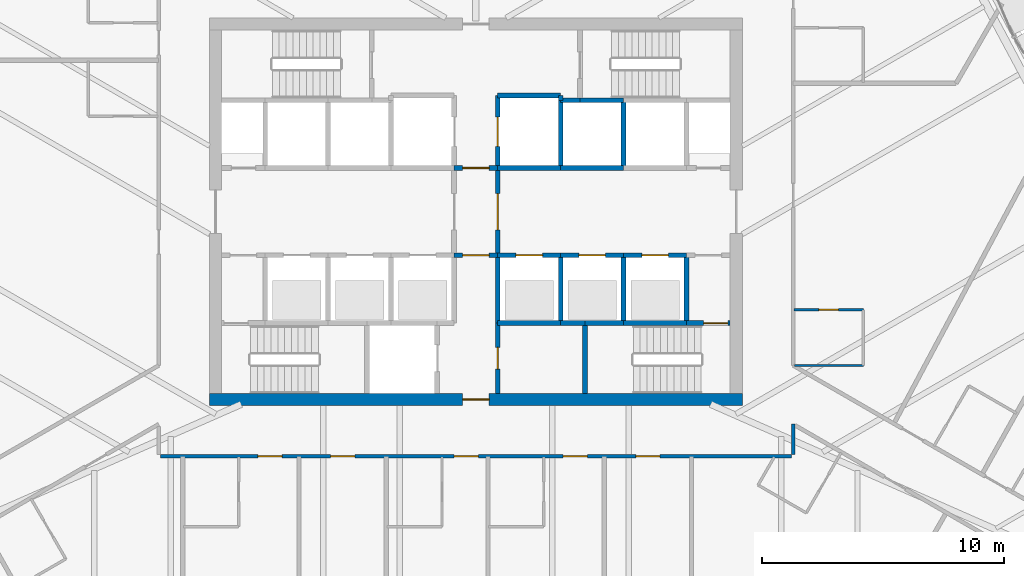
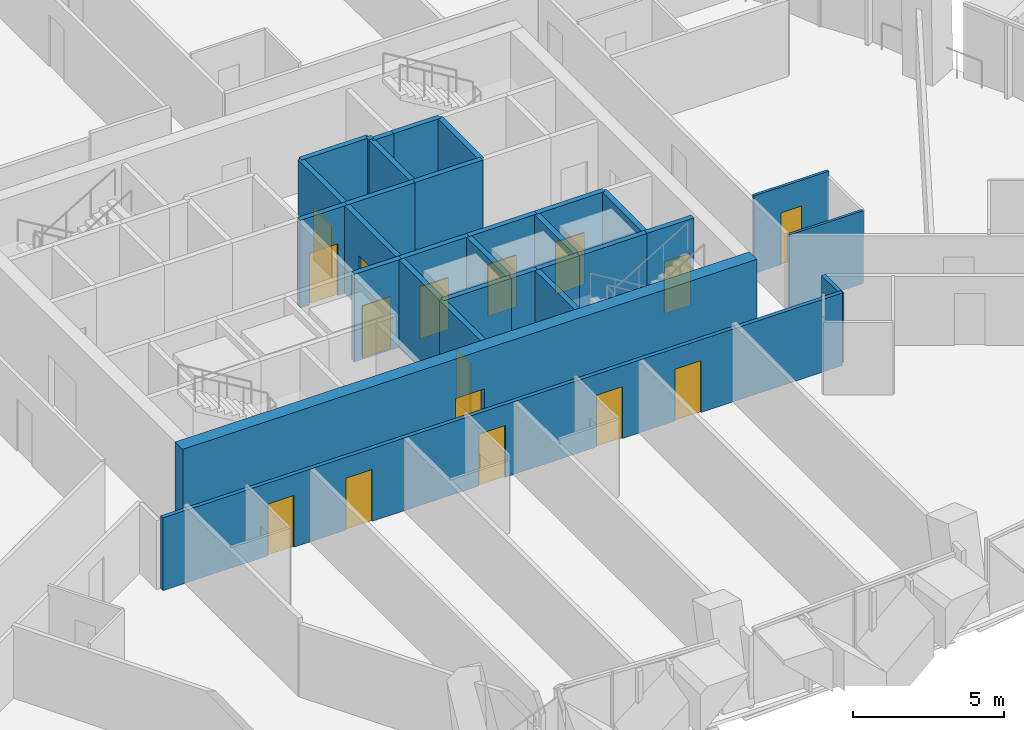
# One storey, part 15 of 22: 31 walls, 16 doors, 16 openings.
"""IFC4 building model written with IfcOpenShell, lengths in metres."""

from ifc_helpers import new_model, si_unit, direction, frame, frame_2d, origin, place, context, subcontext, project, spatial, rectangle, extrude, material, layer, layer_set, type_object, element, fill, save


model = new_model("IFC4")

# Units and contexts
model_context = context("Model", 3, precision=1e-05, world=origin(), true_north=direction((0.0, 1.0)))
body_context = subcontext(model_context, "Body", "Model", "MODEL_VIEW")
ifc_project = project(units=[si_unit("LENGTHUNIT", "METRE"), si_unit("AREAUNIT", "SQUARE_METRE"), si_unit("VOLUMEUNIT", "CUBIC_METRE"), si_unit("PLANEANGLEUNIT", "RADIAN"), si_unit("MASSUNIT", "GRAM", prefix="KILO")], contexts=[model_context])

# Site, building, storey
site_placement = place(None, origin())
site = spatial("IfcSite", under=ifc_project, at=site_placement, CompositionType="ELEMENT")
building_placement = place(site_placement, origin())
building = spatial("IfcBuilding", under=site, at=building_placement, Name="Sierra Prisma Convention Tower", CompositionType="ELEMENT")
storey_placement = place(building_placement, frame((0.0, 0.0, 62.800048828125)))
storey = spatial("IfcBuildingStorey", under=building, at=storey_placement, Name="L11", CompositionType="ELEMENT", Elevation=62.800048828125)

# Wall, opening, door
ifc_material_1 = material(Name="Gypsum board partition", Category="gypsum")
ifc_layer_1 = layer(ifc_material_1, 0.10009765625)
ifc_layer_set_1 = layer_set([ifc_layer_1], Name="Bathroom partition 100")
wall_type_1 = type_object("IfcWallType", Name="Bathroom partition 100", PredefinedType="PARTITIONING", material=ifc_layer_set_1)
wall_1_placement = place(storey_placement, frame((13.1298828125, -4.05078125, 0.0), z_axis=(0.0, 0.0, 1.0), x_axis=(1.0, 0.0, 0.0)))
wall_1 = element("IfcWall", 1, at=wall_1_placement, inside=storey, type_object=wall_type_1, Name="Partition L11 bath 25", PredefinedType="PARTITIONING", context=body_context, shape_type="SweptSolid", body=[
    extrude(rectangle(XDim=2.8701171875, YDim=0.10009765625, at=frame_2d((1.43505859375, 0.0))), origin(), (0.0, 0.0, 1.0), 3.14990234375),
])
opening_1_placement = place(wall_1_placement, frame((1.034912109375, 0.0, 0.0)))
opening_1 = element("IfcOpeningElement", 2, at=opening_1_placement, cuts=wall_1, Name="Opening L11-D016", PredefinedType="OPENING", context=body_context, shape_type="SweptSolid", body=[
    extrude(rectangle(XDim=0.800048828125, YDim=2.10009765625, at=frame_2d((0.39990234375, 1.050048828125))), frame((0.0, 0.050048828125, 0.0), z_axis=(0.0, -1.0, 0.0), x_axis=(1.0, 0.0, 0.0)), (0.0, 0.0, 1.0), 0.10009765625),
])
ifc_material_2 = material(Name="Solid core timber door leaf", Category="wood")
door_type_1 = type_object("IfcDoorType", Name="Door 800x2100 plain", OperationType="SINGLE_SWING_LEFT", PredefinedType="DOOR", material=ifc_material_2)
door_1_placement = place(opening_1_placement, origin())
door_1 = element("IfcDoor", 3, at=door_1_placement, inside=storey, type_object=door_type_1, Name="Door L11 38", OperationType="SINGLE_SWING_LEFT", OverallHeight=2.10009765625, OverallWidth=0.800048828125, PredefinedType="DOOR", context=body_context, shape_type="SweptSolid", body=[
    extrude(rectangle(XDim=0.800048828125, YDim=2.10009765625, at=frame_2d((0.39990234375, 1.050048828125))), frame((0.0, 0.02490234375, 0.0), z_axis=(0.0, -1.0, 0.0), x_axis=(1.0, 0.0, 0.0)), (0.0, 0.0, 1.0), 0.050048828125),
])
fill(opening_1, door_1)

# Wall
wall_2_placement = place(storey_placement, frame((16.0, -6.350830078125, 0.0), z_axis=(0.0, 0.0, 1.0), x_axis=(-1.0, 0.0, 0.0)))
element("IfcWall", 4, at=wall_2_placement, inside=storey, type_object=wall_type_1, Name="Partition L11 bath 27", PredefinedType="PARTITIONING", context=body_context, shape_type="SweptSolid", body=[
    extrude(rectangle(XDim=2.840087890625, YDim=0.10009765625, at=frame_2d((1.419921875, 0.0))), origin(), (0.0, 0.0, 1.0), 2.947021484375),
])

# Wall, opening, door
ifc_material_3 = material(Name="Concrete C30/37", Category="concrete")
ifc_layer_2 = layer(ifc_material_3, 0.199951171875)
ifc_layer_set_2 = layer_set([ifc_layer_2], Name="Core wall RC 200 C30/37")
wall_type_2 = type_object("IfcWallType", Name="Core wall RC 200 C30/37", PredefinedType="SOLIDWALL", material=ifc_layer_set_2)
wall_3_placement = place(storey_placement, frame((-0.89990234375, -1.800048828125, 0.0), z_axis=(0.0, 0.0, 1.0), x_axis=(1.0, 0.0, 0.0)))
wall_3 = element("IfcWall", 5, at=wall_3_placement, inside=storey, type_object=wall_type_2, Name="Core wall L11 32", PredefinedType="SOLIDWALL", context=body_context, shape_type="SweptSolid", body=[
    extrude(rectangle(XDim=1.7998046875, YDim=0.199951171875, at=frame_2d((0.89990234375, 0.0))), origin(), (0.0, 0.0, 1.0), 3.550048828125),
])
opening_2_placement = place(wall_3_placement, frame((0.35009765625, 0.0, 0.0)))
opening_2 = element("IfcOpeningElement", 6, at=opening_2_placement, cuts=wall_3, Name="Opening L11-D031", PredefinedType="OPENING", context=body_context, shape_type="SweptSolid", body=[
    extrude(rectangle(XDim=1.10009765625, YDim=2.10009765625, at=frame_2d((0.550048828125, 1.050048828125))), frame((0.0, 0.10009765625, 0.0), z_axis=(0.0, -1.0, 0.0), x_axis=(1.0, 0.0, 0.0)), (0.0, 0.0, 1.0), 0.199951171875),
])
ifc_material_4 = material(Name="Steel fire door leaf", Category="steel")
door_type_2 = type_object("IfcDoorType", Name="Door 1100x2100 FD30S", OperationType="SINGLE_SWING_LEFT", PredefinedType="DOOR", material=ifc_material_4)
door_2_placement = place(opening_2_placement, origin())
door_2 = element("IfcDoor", 7, at=door_2_placement, inside=storey, type_object=door_type_2, Name="Door L11 53", OperationType="SINGLE_SWING_LEFT", OverallHeight=2.10009765625, OverallWidth=1.10009765625, PredefinedType="DOOR", context=body_context, shape_type="SweptSolid", body=[
    extrude(rectangle(XDim=1.10009765625, YDim=2.10009765625, at=frame_2d((0.550048828125, 1.050048828125))), frame((0.0, 0.02490234375, 0.0), z_axis=(0.0, -1.0, 0.0), x_axis=(1.0, 0.0, 0.0)), (0.0, 0.0, 1.0), 0.050048828125),
])
fill(opening_2, door_2)

wall_4_placement = place(storey_placement, frame((0.89990234375, 1.800048828125, 0.0), z_axis=(0.0, 0.0, 1.0), x_axis=(-1.0, 0.0, 0.0)))
wall_4 = element("IfcWall", 8, at=wall_4_placement, inside=storey, type_object=wall_type_2, Name="Core wall L11 34", PredefinedType="SOLIDWALL", context=body_context, shape_type="SweptSolid", body=[
    extrude(rectangle(XDim=1.7998046875, YDim=0.199951171875, at=frame_2d((0.89990234375, 0.0))), origin(), (0.0, 0.0, 1.0), 3.550048828125),
])
opening_3_placement = place(wall_4_placement, frame((0.35009765625, 0.0, 0.0)))
opening_3 = element("IfcOpeningElement", 9, at=opening_3_placement, cuts=wall_4, Name="Opening L11-D030", PredefinedType="OPENING", context=body_context, shape_type="SweptSolid", body=[
    extrude(rectangle(XDim=1.10009765625, YDim=2.10009765625, at=frame_2d((0.550048828125, 1.050048828125))), frame((0.0, 0.10009765625, 0.0), z_axis=(0.0, -1.0, 0.0), x_axis=(1.0, 0.0, 0.0)), (0.0, 0.0, 1.0), 0.199951171875),
])
ifc_material_5 = material(Name="Steel fire door leaf", Category="steel")
door_type_3 = type_object("IfcDoorType", Name="Door 1100x2100 FD60S", OperationType="SINGLE_SWING_LEFT", PredefinedType="DOOR", material=ifc_material_5)
door_3_placement = place(opening_3_placement, origin())
door_3 = element("IfcDoor", 10, at=door_3_placement, inside=storey, type_object=door_type_3, Name="Door L11 52", OperationType="SINGLE_SWING_RIGHT", OverallHeight=2.10009765625, OverallWidth=1.10009765625, PredefinedType="DOOR", context=body_context, shape_type="SweptSolid", body=[
    extrude(rectangle(XDim=1.10009765625, YDim=2.10009765625, at=frame_2d((0.550048828125, 1.050048828125))), frame((0.0, 0.02490234375, 0.0), z_axis=(0.0, -1.0, 0.0), x_axis=(1.0, 0.0, 0.0)), (0.0, 0.0, 1.0), 0.050048828125),
])
fill(opening_3, door_3)

wall_5_placement = place(storey_placement, frame((0.89990234375, -4.60009765625, 0.0), z_axis=(0.0, 0.0, 1.0), x_axis=(0.0, -1.0, 0.0)))
wall_5 = element("IfcWall", 11, at=wall_5_placement, inside=storey, type_object=wall_type_2, Name="Core wall L11 35", PredefinedType="SOLIDWALL", context=body_context, shape_type="SweptSolid", body=[
    extrude(rectangle(XDim=2.89990234375, YDim=0.199951171875, at=frame_2d((1.449951171875, 0.0))), origin(), (0.0, 0.0, 1.0), 3.550048828125),
])
opening_4_placement = place(wall_5_placement, frame((1.0, 0.0, 0.0)))
opening_4 = element("IfcOpeningElement", 12, at=opening_4_placement, cuts=wall_5, Name="Opening L11-D038", PredefinedType="OPENING", context=body_context, shape_type="SweptSolid", body=[
    extrude(rectangle(XDim=0.89990234375, YDim=2.10009765625, at=frame_2d((0.449951171875, 1.050048828125))), frame((0.0, 0.10009765625, 0.0), z_axis=(0.0, -1.0, 0.0), x_axis=(1.0, 0.0, 0.0)), (0.0, 0.0, 1.0), 0.199951171875),
])
ifc_material_6 = material(Name="Steel fire door leaf", Category="steel")
door_type_4 = type_object("IfcDoorType", Name="Door 900x2100 FD30S", OperationType="SINGLE_SWING_LEFT", PredefinedType="DOOR", material=ifc_material_6)
door_4_placement = place(opening_4_placement, origin())
door_4 = element("IfcDoor", 13, at=door_4_placement, inside=storey, type_object=door_type_4, Name="Door L11 60", OperationType="SINGLE_SWING_RIGHT", OverallHeight=2.10009765625, OverallWidth=0.89990234375, PredefinedType="DOOR", context=body_context, shape_type="SweptSolid", body=[
    extrude(rectangle(XDim=0.89990234375, YDim=2.10009765625, at=frame_2d((0.449951171875, 1.050048828125))), frame((0.0, 0.02490234375, 0.0), z_axis=(0.0, -1.0, 0.0), x_axis=(1.0, 0.0, 0.0)), (0.0, 0.0, 1.0), 0.050048828125),
])
fill(opening_4, door_4)

# Walls
wall_6_placement = place(storey_placement, frame((3.5, -4.60009765625, 0.0), z_axis=(0.0, 0.0, 1.0), x_axis=(-1.0, 0.0, 0.0)))
element("IfcWall", 14, at=wall_6_placement, inside=storey, type_object=wall_type_2, Name="Core wall L11 36", PredefinedType="SOLIDWALL", context=body_context, shape_type="SweptSolid", body=[
    extrude(rectangle(XDim=2.60009765625, YDim=0.199951171875, at=frame_2d((1.300048828125, 0.0))), origin(), (0.0, 0.0, 1.0), 3.550048828125),
])
wall_7_placement = place(storey_placement, frame((0.89990234375, -1.800048828125, 0.0), z_axis=(0.0, 0.0, 1.0), x_axis=(0.0, -1.0, 0.0)))
element("IfcWall", 15, at=wall_7_placement, inside=storey, type_object=wall_type_2, Name="Core wall L11 37", PredefinedType="SOLIDWALL", context=body_context, shape_type="SweptSolid", body=[
    extrude(rectangle(XDim=2.800048828125, YDim=0.199951171875, at=frame_2d((1.39990234375, 0.0))), origin(), (0.0, 0.0, 1.0), 3.550048828125),
])

# Wall, opening, door
wall_8_placement = place(storey_placement, frame((0.89990234375, -1.800048828125, 0.0), z_axis=(0.0, 0.0, 1.0), x_axis=(1.0, 0.0, 0.0)))
wall_8 = element("IfcWall", 16, at=wall_8_placement, inside=storey, type_object=wall_type_2, Name="Core wall L11 38", PredefinedType="SOLIDWALL", context=body_context, shape_type="SweptSolid", body=[
    extrude(rectangle(XDim=2.60009765625, YDim=0.199951171875, at=frame_2d((1.300048828125, 0.0))), origin(), (0.0, 0.0, 1.0), 3.550048828125),
])
opening_5_placement = place(wall_8_placement, frame((0.75, 0.0, 0.0)))
opening_5 = element("IfcOpeningElement", 17, at=opening_5_placement, cuts=wall_8, Name="Opening L11-D020", PredefinedType="OPENING", context=body_context, shape_type="SweptSolid", body=[
    extrude(rectangle(XDim=1.10009765625, YDim=2.10009765625, at=frame_2d((0.550048828125, 1.050048828125))), frame((0.0, 0.10009765625, 0.0), z_axis=(0.0, -1.0, 0.0), x_axis=(1.0, 0.0, 0.0)), (0.0, 0.0, 1.0), 0.199951171875),
])
ifc_material_7 = material(Name="Steel fire door leaf", Category="steel")
door_type_5 = type_object("IfcDoorType", Name="Door 1100x2100 EI 90 sliding lift landing", OperationType="SLIDING_TO_LEFT", PredefinedType="DOOR", material=ifc_material_7)
door_5_placement = place(opening_5_placement, origin())
door_5 = element("IfcDoor", 18, at=door_5_placement, inside=storey, type_object=door_type_5, Name="Door L11 42", OperationType="SLIDING_TO_LEFT", OverallHeight=2.10009765625, OverallWidth=1.10009765625, PredefinedType="DOOR", context=body_context, shape_type="SweptSolid", body=[
    extrude(rectangle(XDim=1.10009765625, YDim=2.10009765625, at=frame_2d((0.550048828125, 1.050048828125))), frame((0.0, 0.02490234375, 0.0), z_axis=(0.0, -1.0, 0.0), x_axis=(1.0, 0.0, 0.0)), (0.0, 0.0, 1.0), 0.050048828125),
])
fill(opening_5, door_5)

wall_9_placement = place(storey_placement, frame((0.89990234375, -1.800048828125, 0.0), z_axis=(0.0, 0.0, 1.0), x_axis=(0.0, 1.0, 0.0)))
wall_9 = element("IfcWall", 19, at=wall_9_placement, inside=storey, type_object=wall_type_2, Name="Core wall L11 39", PredefinedType="SOLIDWALL", context=body_context, shape_type="SweptSolid", body=[
    extrude(rectangle(XDim=3.60009765625, YDim=0.199951171875, at=frame_2d((1.800048828125, 0.0))), origin(), (0.0, 0.0, 1.0), 3.550048828125),
])
opening_6_placement = place(wall_9_placement, frame((1.050048828125, 0.0, 0.0)))
opening_6 = element("IfcOpeningElement", 20, at=opening_6_placement, cuts=wall_9, Name="Opening L11-D027", PredefinedType="OPENING", context=body_context, shape_type="SweptSolid", body=[
    extrude(rectangle(XDim=1.5, YDim=2.10009765625, at=frame_2d((0.75, 1.050048828125))), frame((0.0, 0.10009765625, 0.0), z_axis=(0.0, -1.0, 0.0), x_axis=(1.0, 0.0, 0.0)), (0.0, 0.0, 1.0), 0.199951171875),
])
ifc_material_8 = material(Name="Steel fire door leaf", Category="steel")
door_type_6 = type_object("IfcDoorType", Name="Door 1500x2100 FD30S", OperationType="DOUBLE_DOOR_SINGLE_SWING", PredefinedType="DOOR", material=ifc_material_8)
door_6_placement = place(opening_6_placement, origin())
door_6 = element("IfcDoor", 21, at=door_6_placement, inside=storey, type_object=door_type_6, Name="Door L11 49", OperationType="DOUBLE_DOOR_SINGLE_SWING", OverallHeight=2.10009765625, OverallWidth=1.5, PredefinedType="DOOR", context=body_context, shape_type="SweptSolid", body=[
    extrude(rectangle(XDim=1.5, YDim=2.10009765625, at=frame_2d((0.75, 1.050048828125))), frame((0.0, 0.02490234375, 0.0), z_axis=(0.0, -1.0, 0.0), x_axis=(1.0, 0.0, 0.0)), (0.0, 0.0, 1.0), 0.050048828125),
])
fill(opening_6, door_6)

# Walls
wall_10_placement = place(storey_placement, frame((3.5, 1.800048828125, 0.0), z_axis=(0.0, 0.0, 1.0), x_axis=(-1.0, 0.0, 0.0)))
element("IfcWall", 22, at=wall_10_placement, inside=storey, type_object=wall_type_2, Name="Core wall L11 40", PredefinedType="SOLIDWALL", context=body_context, shape_type="SweptSolid", body=[
    extrude(rectangle(XDim=2.60009765625, YDim=0.199951171875, at=frame_2d((1.300048828125, 0.0))), origin(), (0.0, 0.0, 1.0), 3.550048828125),
])
wall_11_placement = place(storey_placement, frame((3.5, 4.60009765625, 0.0), z_axis=(0.0, 0.0, 1.0), x_axis=(0.0, 1.0, 0.0)))
element("IfcWall", 23, at=wall_11_placement, inside=storey, type_object=wall_type_2, Name="Core wall L11 41", PredefinedType="SOLIDWALL", context=body_context, shape_type="SweptSolid", body=[
    extrude(rectangle(XDim=0.199951171875, YDim=0.199951171875, at=frame_2d((0.10009765625, 0.0))), origin(), (0.0, 0.0, 1.0), 3.550048828125),
])
wall_12_placement = place(storey_placement, frame((3.5, 4.800048828125, 0.0), z_axis=(0.0, 0.0, 1.0), x_axis=(-1.0, 0.0, 0.0)))
element("IfcWall", 24, at=wall_12_placement, inside=storey, type_object=wall_type_2, Name="Core wall L11 42", PredefinedType="SOLIDWALL", context=body_context, shape_type="SweptSolid", body=[
    extrude(rectangle(XDim=2.60009765625, YDim=0.199951171875, at=frame_2d((1.300048828125, 0.0))), origin(), (0.0, 0.0, 1.0), 3.550048828125),
])

# Wall, opening, door
wall_13_placement = place(storey_placement, frame((0.89990234375, 4.800048828125, 0.0), z_axis=(0.0, 0.0, 1.0), x_axis=(0.0, -1.0, 0.0)))
wall_13 = element("IfcWall", 25, at=wall_13_placement, inside=storey, type_object=wall_type_2, Name="Core wall L11 43", PredefinedType="SOLIDWALL", context=body_context, shape_type="SweptSolid", body=[
    extrude(rectangle(XDim=3.0, YDim=0.199951171875, at=frame_2d((1.5, 0.0))), origin(), (0.0, 0.0, 1.0), 3.550048828125),
])
opening_7_placement = place(wall_13_placement, frame((0.89990234375, 0.0, 0.0)))
opening_7 = element("IfcOpeningElement", 26, at=opening_7_placement, cuts=wall_13, Name="Opening L11-D024", PredefinedType="OPENING", context=body_context, shape_type="SweptSolid", body=[
    extrude(rectangle(XDim=1.199951171875, YDim=2.10009765625, at=frame_2d((0.60009765625, 1.050048828125))), frame((0.0, 0.10009765625, 0.0), z_axis=(0.0, -1.0, 0.0), x_axis=(1.0, 0.0, 0.0)), (0.0, 0.0, 1.0), 0.199951171875),
])
ifc_material_9 = material(Name="Steel fire door leaf", Category="steel")
door_type_7 = type_object("IfcDoorType", Name="Door 1200x2100 EI 90 sliding lift landing", OperationType="SLIDING_TO_LEFT", PredefinedType="DOOR", material=ifc_material_9)
door_7_placement = place(opening_7_placement, origin())
door_7 = element("IfcDoor", 27, at=door_7_placement, inside=storey, type_object=door_type_7, Name="Door L11 46", OperationType="SLIDING_TO_RIGHT", OverallHeight=2.10009765625, OverallWidth=1.199951171875, PredefinedType="DOOR", context=body_context, shape_type="SweptSolid", body=[
    extrude(rectangle(XDim=1.199951171875, YDim=2.10009765625, at=frame_2d((0.60009765625, 1.050048828125))), frame((0.0, 0.02490234375, 0.0), z_axis=(0.0, -1.0, 0.0), x_axis=(1.0, 0.0, 0.0)), (0.0, 0.0, 1.0), 0.050048828125),
])
fill(opening_7, door_7)

# Walls
wall_14_placement = place(storey_placement, frame((4.5, -4.60009765625, 0.0), z_axis=(0.0, 0.0, 1.0), x_axis=(-1.0, 0.0, 0.0)))
element("IfcWall", 28, at=wall_14_placement, inside=storey, type_object=wall_type_2, Name="Core wall L11 44", PredefinedType="SOLIDWALL", context=body_context, shape_type="SweptSolid", body=[
    extrude(rectangle(XDim=1.0, YDim=0.199951171875, at=frame_2d((0.5, 0.0))), origin(), (0.0, 0.0, 1.0), 3.550048828125),
])
wall_15_placement = place(storey_placement, frame((3.5, -4.60009765625, 0.0), z_axis=(0.0, 0.0, 1.0), x_axis=(0.0, 1.0, 0.0)))
element("IfcWall", 29, at=wall_15_placement, inside=storey, type_object=wall_type_2, Name="Core wall L11 45", PredefinedType="SOLIDWALL", context=body_context, shape_type="SweptSolid", body=[
    extrude(rectangle(XDim=2.800048828125, YDim=0.199951171875, at=frame_2d((1.39990234375, 0.0))), origin(), (0.0, 0.0, 1.0), 3.550048828125),
])

# Wall, opening, door
wall_16_placement = place(storey_placement, frame((3.5, -1.800048828125, 0.0), z_axis=(0.0, 0.0, 1.0), x_axis=(1.0, 0.0, 0.0)))
wall_16 = element("IfcWall", 30, at=wall_16_placement, inside=storey, type_object=wall_type_2, Name="Core wall L11 46", PredefinedType="SOLIDWALL", context=body_context, shape_type="SweptSolid", body=[
    extrude(rectangle(XDim=2.60009765625, YDim=0.199951171875, at=frame_2d((1.300048828125, 0.0))), origin(), (0.0, 0.0, 1.0), 3.550048828125),
])
opening_8_placement = place(wall_16_placement, frame((0.75, 0.0, 0.0)))
opening_8 = element("IfcOpeningElement", 31, at=opening_8_placement, cuts=wall_16, Name="Opening L11-D021", PredefinedType="OPENING", context=body_context, shape_type="SweptSolid", body=[
    extrude(rectangle(XDim=1.10009765625, YDim=2.10009765625, at=frame_2d((0.550048828125, 1.050048828125))), frame((0.0, 0.10009765625, 0.0), z_axis=(0.0, -1.0, 0.0), x_axis=(1.0, 0.0, 0.0)), (0.0, 0.0, 1.0), 0.199951171875),
])
door_8_placement = place(opening_8_placement, origin())
door_8 = element("IfcDoor", 32, at=door_8_placement, inside=storey, type_object=door_type_5, Name="Door L11 43", OperationType="SLIDING_TO_LEFT", OverallHeight=2.10009765625, OverallWidth=1.10009765625, PredefinedType="DOOR", context=body_context, shape_type="SweptSolid", body=[
    extrude(rectangle(XDim=1.10009765625, YDim=2.10009765625, at=frame_2d((0.550048828125, 1.050048828125))), frame((0.0, 0.02490234375, 0.0), z_axis=(0.0, -1.0, 0.0), x_axis=(1.0, 0.0, 0.0)), (0.0, 0.0, 1.0), 0.050048828125),
])
fill(opening_8, door_8)

# Walls
wall_17_placement = place(storey_placement, frame((6.10009765625, 1.800048828125, 0.0), z_axis=(0.0, 0.0, 1.0), x_axis=(-1.0, 0.0, 0.0)))
element("IfcWall", 33, at=wall_17_placement, inside=storey, type_object=wall_type_2, Name="Core wall L11 47", PredefinedType="SOLIDWALL", context=body_context, shape_type="SweptSolid", body=[
    extrude(rectangle(XDim=2.60009765625, YDim=0.199951171875, at=frame_2d((1.300048828125, 0.0))), origin(), (0.0, 0.0, 1.0), 3.550048828125),
])
wall_18_placement = place(storey_placement, frame((3.5, 1.800048828125, 0.0), z_axis=(0.0, 0.0, 1.0), x_axis=(0.0, 1.0, 0.0)))
element("IfcWall", 34, at=wall_18_placement, inside=storey, type_object=wall_type_2, Name="Core wall L11 48", PredefinedType="SOLIDWALL", context=body_context, shape_type="SweptSolid", body=[
    extrude(rectangle(XDim=2.800048828125, YDim=0.199951171875, at=frame_2d((1.39990234375, 0.0))), origin(), (0.0, 0.0, 1.0), 3.550048828125),
])
wall_19_placement = place(storey_placement, frame((4.300048828125, 4.60009765625, 0.0), z_axis=(0.0, 0.0, 1.0), x_axis=(-1.0, 0.0, 0.0)))
element("IfcWall", 35, at=wall_19_placement, inside=storey, type_object=wall_type_2, Name="Core wall L11 49", PredefinedType="SOLIDWALL", context=body_context, shape_type="SweptSolid", body=[
    extrude(rectangle(XDim=0.800048828125, YDim=0.199951171875, at=frame_2d((0.39990234375, 0.0))), origin(), (0.0, 0.0, 1.0), 3.550048828125),
])
wall_20_placement = place(storey_placement, frame((6.10009765625, 4.60009765625, 0.0), z_axis=(0.0, 0.0, 1.0), x_axis=(-1.0, 0.0, 0.0)))
element("IfcWall", 36, at=wall_20_placement, inside=storey, type_object=wall_type_2, Name="Core wall L11 50", PredefinedType="SOLIDWALL", context=body_context, shape_type="SweptSolid", body=[
    extrude(rectangle(XDim=1.800048828125, YDim=0.199951171875, at=frame_2d((0.89990234375, 0.0))), origin(), (0.0, 0.0, 1.0), 3.550048828125),
])
wall_21_placement = place(storey_placement, frame((4.5, -7.5, 0.0), z_axis=(0.0, 0.0, 1.0), x_axis=(0.0, 1.0, 0.0)))
element("IfcWall", 37, at=wall_21_placement, inside=storey, type_object=wall_type_2, Name="Core wall L11 52", PredefinedType="SOLIDWALL", context=body_context, shape_type="SweptSolid", body=[
    extrude(rectangle(XDim=2.89990234375, YDim=0.199951171875, at=frame_2d((1.449951171875, 0.0))), origin(), (0.0, 0.0, 1.0), 3.550048828125),
])
wall_22_placement = place(storey_placement, frame((4.5, -4.60009765625, 0.0), z_axis=(0.0, 0.0, 1.0), x_axis=(1.0, 0.0, 0.0)))
element("IfcWall", 38, at=wall_22_placement, inside=storey, type_object=wall_type_2, Name="Core wall L11 53", PredefinedType="SOLIDWALL", context=body_context, shape_type="SweptSolid", body=[
    extrude(rectangle(XDim=1.60009765625, YDim=0.199951171875, at=frame_2d((0.800048828125, 0.0))), origin(), (0.0, 0.0, 1.0), 3.550048828125),
])
wall_23_placement = place(storey_placement, frame((6.10009765625, -4.60009765625, 0.0), z_axis=(0.0, 0.0, 1.0), x_axis=(1.0, 0.0, 0.0)))
element("IfcWall", 39, at=wall_23_placement, inside=storey, type_object=wall_type_2, Name="Core wall L11 54", PredefinedType="SOLIDWALL", context=body_context, shape_type="SweptSolid", body=[
    extrude(rectangle(XDim=2.599853515625, YDim=0.199951171875, at=frame_2d((1.2998046875, 0.0))), origin(), (0.0, 0.0, 1.0), 3.550048828125),
])
wall_24_placement = place(storey_placement, frame((6.10009765625, -4.60009765625, 0.0), z_axis=(0.0, 0.0, 1.0), x_axis=(0.0, 1.0, 0.0)))
element("IfcWall", 40, at=wall_24_placement, inside=storey, type_object=wall_type_2, Name="Core wall L11 55", PredefinedType="SOLIDWALL", context=body_context, shape_type="SweptSolid", body=[
    extrude(rectangle(XDim=2.800048828125, YDim=0.199951171875, at=frame_2d((1.39990234375, 0.0))), origin(), (0.0, 0.0, 1.0), 3.550048828125),
])

# Wall, opening, door
wall_25_placement = place(storey_placement, frame((6.10009765625, -1.800048828125, 0.0), z_axis=(0.0, 0.0, 1.0), x_axis=(1.0, 0.0, 0.0)))
wall_25 = element("IfcWall", 41, at=wall_25_placement, inside=storey, type_object=wall_type_2, Name="Core wall L11 56", PredefinedType="SOLIDWALL", context=body_context, shape_type="SweptSolid", body=[
    extrude(rectangle(XDim=2.599853515625, YDim=0.199951171875, at=frame_2d((1.2998046875, 0.0))), origin(), (0.0, 0.0, 1.0), 3.550048828125),
])
opening_9_placement = place(wall_25_placement, frame((0.75, 0.0, 0.0)))
opening_9 = element("IfcOpeningElement", 42, at=opening_9_placement, cuts=wall_25, Name="Opening L11-D022", PredefinedType="OPENING", context=body_context, shape_type="SweptSolid", body=[
    extrude(rectangle(XDim=1.10009765625, YDim=2.10009765625, at=frame_2d((0.550048828125, 1.050048828125))), frame((0.0, 0.10009765625, 0.0), z_axis=(0.0, -1.0, 0.0), x_axis=(1.0, 0.0, 0.0)), (0.0, 0.0, 1.0), 0.199951171875),
])
door_9_placement = place(opening_9_placement, origin())
door_9 = element("IfcDoor", 43, at=door_9_placement, inside=storey, type_object=door_type_5, Name="Door L11 44", OperationType="SLIDING_TO_RIGHT", OverallHeight=2.10009765625, OverallWidth=1.10009765625, PredefinedType="DOOR", context=body_context, shape_type="SweptSolid", body=[
    extrude(rectangle(XDim=1.10009765625, YDim=2.10009765625, at=frame_2d((0.550048828125, 1.050048828125))), frame((0.0, 0.02490234375, 0.0), z_axis=(0.0, -1.0, 0.0), x_axis=(1.0, 0.0, 0.0)), (0.0, 0.0, 1.0), 0.050048828125),
])
fill(opening_9, door_9)

# Wall
wall_26_placement = place(storey_placement, frame((6.10009765625, 1.800048828125, 0.0), z_axis=(0.0, 0.0, 1.0), x_axis=(0.0, 1.0, 0.0)))
element("IfcWall", 44, at=wall_26_placement, inside=storey, type_object=wall_type_2, Name="Core wall L11 58", PredefinedType="SOLIDWALL", context=body_context, shape_type="SweptSolid", body=[
    extrude(rectangle(XDim=2.800048828125, YDim=0.199951171875, at=frame_2d((1.39990234375, 0.0))), origin(), (0.0, 0.0, 1.0), 3.550048828125),
])

# Wall, opening, door
wall_27_placement = place(storey_placement, frame((8.699951171875, -4.60009765625, 0.0), z_axis=(0.0, 0.0, 1.0), x_axis=(1.0, 0.0, 0.0)))
wall_27 = element("IfcWall", 45, at=wall_27_placement, inside=storey, type_object=wall_type_2, Name="Core wall L11 60", PredefinedType="SOLIDWALL", context=body_context, shape_type="SweptSolid", body=[
    extrude(rectangle(XDim=1.800048828125, YDim=0.199951171875, at=frame_2d((0.89990234375, 0.0))), origin(), (0.0, 0.0, 1.0), 3.550048828125),
])
opening_10_placement = place(wall_27_placement, frame((0.699951171875, 0.0, 0.0)))
opening_10 = element("IfcOpeningElement", 46, at=opening_10_placement, cuts=wall_27, Name="Opening L11-D035", PredefinedType="OPENING", context=body_context, shape_type="SweptSolid", body=[
    extrude(rectangle(XDim=1.0, YDim=2.10009765625, at=frame_2d((0.5, 1.050048828125))), frame((0.0, 0.10009765625, 0.0), z_axis=(0.0, -1.0, 0.0), x_axis=(1.0, 0.0, 0.0)), (0.0, 0.0, 1.0), 0.199951171875),
])
ifc_material_10 = material(Name="Steel fire door leaf", Category="steel")
door_type_8 = type_object("IfcDoorType", Name="Door 1000x2100 FD90S", OperationType="SINGLE_SWING_LEFT", PredefinedType="DOOR", material=ifc_material_10)
door_10_placement = place(opening_10_placement, origin())
door_10 = element("IfcDoor", 47, at=door_10_placement, inside=storey, type_object=door_type_8, Name="Door L11 57", OperationType="SINGLE_SWING_RIGHT", OverallHeight=2.10009765625, OverallWidth=1.0, PredefinedType="DOOR", context=body_context, shape_type="SweptSolid", body=[
    extrude(rectangle(XDim=1.0, YDim=2.10009765625, at=frame_2d((0.5, 1.050048828125))), frame((0.0, 0.02490234375, 0.0), z_axis=(0.0, -1.0, 0.0), x_axis=(1.0, 0.0, 0.0)), (0.0, 0.0, 1.0), 0.050048828125),
])
fill(opening_10, door_10)

# Wall
wall_28_placement = place(storey_placement, frame((8.699951171875, -1.800048828125, 0.0), z_axis=(0.0, 0.0, 1.0), x_axis=(0.0, -1.0, 0.0)))
element("IfcWall", 48, at=wall_28_placement, inside=storey, type_object=wall_type_2, Name="Core wall L11 61", PredefinedType="SOLIDWALL", context=body_context, shape_type="SweptSolid", body=[
    extrude(rectangle(XDim=2.800048828125, YDim=0.199951171875, at=frame_2d((1.39990234375, 0.0))), origin(), (0.0, 0.0, 1.0), 3.550048828125),
])

# Wall, opening, door
ifc_material_11 = material(Name="Concrete C60/75", Category="concrete")
ifc_layer_3 = layer(ifc_material_11, 0.5)
ifc_layer_set_3 = layer_set([ifc_layer_3], Name="Core wall RC 500 C60/75")
wall_type_3 = type_object("IfcWallType", Name="Core wall RC 500 C60/75", PredefinedType="SHEAR", material=ifc_layer_set_3)
wall_29_placement = place(storey_placement, frame((-11.0, -7.75, 0.0), z_axis=(0.0, 0.0, 1.0), x_axis=(1.0, 0.0, 0.0)))
wall_29 = element("IfcWall", 49, at=wall_29_placement, inside=storey, type_object=wall_type_3, Name="Core wall S L11", PredefinedType="SHEAR", context=body_context, shape_type="SweptSolid", body=[
    extrude(rectangle(XDim=22.0, YDim=0.5, at=frame_2d((11.0, 0.0))), origin(), (0.0, 0.0, 1.0), 3.699951171875),
])
opening_11_placement = place(wall_29_placement, frame((10.449951171875, 0.0, 0.0)))
opening_11 = element("IfcOpeningElement", 50, at=opening_11_placement, cuts=wall_29, Name="Opening L11-D063", PredefinedType="OPENING", context=body_context, shape_type="SweptSolid", body=[
    extrude(rectangle(XDim=1.10009765625, YDim=2.10009765625, at=frame_2d((0.550048828125, 1.050048828125))), frame((0.0, 0.25, 0.0), z_axis=(0.0, -1.0, 0.0), x_axis=(1.0, 0.0, 0.0)), (0.0, 0.0, 1.0), 0.5),
])
door_11_placement = place(opening_11_placement, origin())
door_11 = element("IfcDoor", 51, at=door_11_placement, inside=storey, type_object=door_type_2, Name="Door L11 64", OperationType="SINGLE_SWING_LEFT", OverallHeight=2.10009765625, OverallWidth=1.10009765625, PredefinedType="DOOR", context=body_context, shape_type="SweptSolid", body=[
    extrude(rectangle(XDim=1.10009765625, YDim=2.10009765625, at=frame_2d((0.550048828125, 1.050048828125))), frame((0.0, 0.02490234375, 0.0), z_axis=(0.0, -1.0, 0.0), x_axis=(1.0, 0.0, 0.0)), (0.0, 0.0, 1.0), 0.050048828125),
])
fill(opening_11, door_11)

# Wall, openings, doors
ifc_material_12 = material(Name="Gypsum board partition", Category="gypsum")
ifc_layer_4 = layer(ifc_material_12, 0.14990234375)
ifc_layer_set_4 = layer_set([ifc_layer_4], Name="Corridor wall 150 gypsum EI 60")
wall_type_4 = type_object("IfcWallType", Name="Corridor wall 150 gypsum EI 60", PredefinedType="PARTITIONING", material=ifc_layer_set_4)
wall_30_placement = place(storey_placement, frame((-13.02001953125, -10.10009765625, 0.0), z_axis=(0.0, 0.0, 1.0), x_axis=(1.0, 0.0, 0.0)))
wall_30 = element("IfcWall", 52, at=wall_30_placement, inside=storey, type_object=wall_type_4, Name="Partition L11 corr 7", PredefinedType="PARTITIONING", context=body_context, shape_type="SweptSolid", body=[
    extrude(rectangle(XDim=26.0400390625, YDim=0.14990234375, at=frame_2d((13.02001953125, 0.0))), origin(), (0.0, 0.0, 1.0), 2.947021484375),
])
opening_12_placement = place(wall_30_placement, frame((4.02001953125, 0.0, 0.0)))
opening_12 = element("IfcOpeningElement", 53, at=opening_12_placement, cuts=wall_30, Name="Opening L11-D051", PredefinedType="OPENING", context=body_context, shape_type="SweptSolid", body=[
    extrude(rectangle(XDim=1.0, YDim=2.10009765625, at=frame_2d((0.5, 1.050048828125))), frame((0.0, 0.074951171875, 0.0), z_axis=(0.0, -1.0, 0.0), x_axis=(1.0, 0.0, 0.0)), (0.0, 0.0, 1.0), 0.14990234375),
])
opening_13_placement = place(wall_30_placement, frame((7.02001953125, 0.0, 0.0)))
opening_13 = element("IfcOpeningElement", 54, at=opening_13_placement, cuts=wall_30, Name="Opening L11-D052", PredefinedType="OPENING", context=body_context, shape_type="SweptSolid", body=[
    extrude(rectangle(XDim=1.0, YDim=2.10009765625, at=frame_2d((0.5, 1.050048828125))), frame((0.0, 0.074951171875, 0.0), z_axis=(0.0, -1.0, 0.0), x_axis=(1.0, 0.0, 0.0)), (0.0, 0.0, 1.0), 0.14990234375),
])
opening_14_placement = place(wall_30_placement, frame((12.1201171875, 0.0, 0.0)))
opening_14 = element("IfcOpeningElement", 55, at=opening_14_placement, cuts=wall_30, Name="Opening L11-D053", PredefinedType="OPENING", context=body_context, shape_type="SweptSolid", body=[
    extrude(rectangle(XDim=1.0, YDim=2.10009765625, at=frame_2d((0.5, 1.050048828125))), frame((0.0, 0.074951171875, 0.0), z_axis=(0.0, -1.0, 0.0), x_axis=(1.0, 0.0, 0.0)), (0.0, 0.0, 1.0), 0.14990234375),
])
opening_15_placement = place(wall_30_placement, frame((16.6201171875, 0.0, 0.0)))
opening_15 = element("IfcOpeningElement", 56, at=opening_15_placement, cuts=wall_30, Name="Opening L11-D054", PredefinedType="OPENING", context=body_context, shape_type="SweptSolid", body=[
    extrude(rectangle(XDim=1.0, YDim=2.10009765625, at=frame_2d((0.5, 1.050048828125))), frame((0.0, 0.074951171875, 0.0), z_axis=(0.0, -1.0, 0.0), x_axis=(1.0, 0.0, 0.0)), (0.0, 0.0, 1.0), 0.14990234375),
])
opening_16_placement = place(wall_30_placement, frame((19.6201171875, 0.0, 0.0)))
opening_16 = element("IfcOpeningElement", 57, at=opening_16_placement, cuts=wall_30, Name="Opening L11-D055", PredefinedType="OPENING", context=body_context, shape_type="SweptSolid", body=[
    extrude(rectangle(XDim=1.0, YDim=2.10009765625, at=frame_2d((0.5, 1.050048828125))), frame((0.0, 0.074951171875, 0.0), z_axis=(0.0, -1.0, 0.0), x_axis=(1.0, 0.0, 0.0)), (0.0, 0.0, 1.0), 0.14990234375),
])
ifc_material_13 = material(Name="Steel fire door leaf", Category="steel")
door_type_9 = type_object("IfcDoorType", Name="Door 1000x2100 FD30S", OperationType="SINGLE_SWING_LEFT", PredefinedType="DOOR", material=ifc_material_13)
door_12_placement = place(opening_12_placement, origin())
door_12 = element("IfcDoor", 58, at=door_12_placement, inside=storey, type_object=door_type_9, Name="Door L11 21", OperationType="SINGLE_SWING_LEFT", OverallHeight=2.10009765625, OverallWidth=1.0, PredefinedType="DOOR", context=body_context, shape_type="SweptSolid", body=[
    extrude(rectangle(XDim=1.0, YDim=2.10009765625, at=frame_2d((0.5, 1.050048828125))), frame((0.0, 0.02490234375, 0.0), z_axis=(0.0, -1.0, 0.0), x_axis=(1.0, 0.0, 0.0)), (0.0, 0.0, 1.0), 0.050048828125),
])
fill(opening_12, door_12)
door_13_placement = place(opening_13_placement, origin())
door_13 = element("IfcDoor", 59, at=door_13_placement, inside=storey, type_object=door_type_9, Name="Door L11 23", OperationType="SINGLE_SWING_RIGHT", OverallHeight=2.10009765625, OverallWidth=1.0, PredefinedType="DOOR", context=body_context, shape_type="SweptSolid", body=[
    extrude(rectangle(XDim=1.0, YDim=2.10009765625, at=frame_2d((0.5, 1.050048828125))), frame((0.0, 0.02490234375, 0.0), z_axis=(0.0, -1.0, 0.0), x_axis=(1.0, 0.0, 0.0)), (0.0, 0.0, 1.0), 0.050048828125),
])
fill(opening_13, door_13)
door_14_placement = place(opening_14_placement, origin())
door_14 = element("IfcDoor", 60, at=door_14_placement, inside=storey, type_object=door_type_9, Name="Door L11 24", OperationType="SINGLE_SWING_LEFT", OverallHeight=2.10009765625, OverallWidth=1.0, PredefinedType="DOOR", context=body_context, shape_type="SweptSolid", body=[
    extrude(rectangle(XDim=1.0, YDim=2.10009765625, at=frame_2d((0.5, 1.050048828125))), frame((0.0, 0.02490234375, 0.0), z_axis=(0.0, -1.0, 0.0), x_axis=(1.0, 0.0, 0.0)), (0.0, 0.0, 1.0), 0.050048828125),
])
fill(opening_14, door_14)
door_15_placement = place(opening_15_placement, origin())
door_15 = element("IfcDoor", 61, at=door_15_placement, inside=storey, type_object=door_type_9, Name="Door L11 26", OperationType="SINGLE_SWING_LEFT", OverallHeight=2.10009765625, OverallWidth=1.0, PredefinedType="DOOR", context=body_context, shape_type="SweptSolid", body=[
    extrude(rectangle(XDim=1.0, YDim=2.10009765625, at=frame_2d((0.5, 1.050048828125))), frame((0.0, 0.02490234375, 0.0), z_axis=(0.0, -1.0, 0.0), x_axis=(1.0, 0.0, 0.0)), (0.0, 0.0, 1.0), 0.050048828125),
])
fill(opening_15, door_15)
door_16_placement = place(opening_16_placement, origin())
door_16 = element("IfcDoor", 62, at=door_16_placement, inside=storey, type_object=door_type_9, Name="Door L11 28", OperationType="SINGLE_SWING_RIGHT", OverallHeight=2.10009765625, OverallWidth=1.0, PredefinedType="DOOR", context=body_context, shape_type="SweptSolid", body=[
    extrude(rectangle(XDim=1.0, YDim=2.10009765625, at=frame_2d((0.5, 1.050048828125))), frame((0.0, 0.02490234375, 0.0), z_axis=(0.0, -1.0, 0.0), x_axis=(1.0, 0.0, 0.0)), (0.0, 0.0, 1.0), 0.050048828125),
])
fill(opening_16, door_16)

# Wall
wall_31_placement = place(storey_placement, frame((13.10009765625, -10.02001953125, 0.0), z_axis=(0.0, 0.0, 1.0), x_axis=(0.0, 1.0, 0.0)))
element("IfcWall", 63, at=wall_31_placement, inside=storey, type_object=wall_type_4, Name="Partition L11 corr 13", PredefinedType="PARTITIONING", context=body_context, shape_type="SweptSolid", body=[
    extrude(rectangle(XDim=1.244384765625, YDim=0.14990234375, at=frame_2d((0.6220703125, 0.0))), origin(), (0.0, 0.0, 1.0), 2.796875),
])

save(model, "model.ifc")
